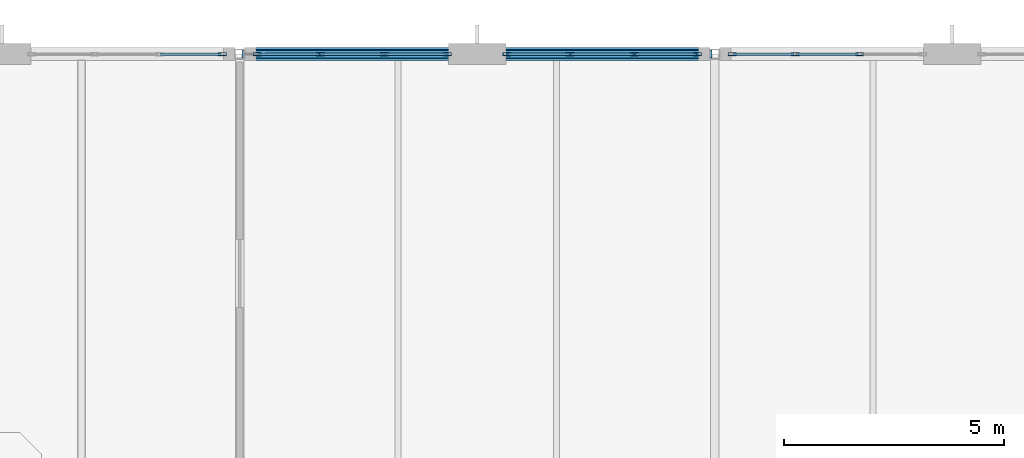
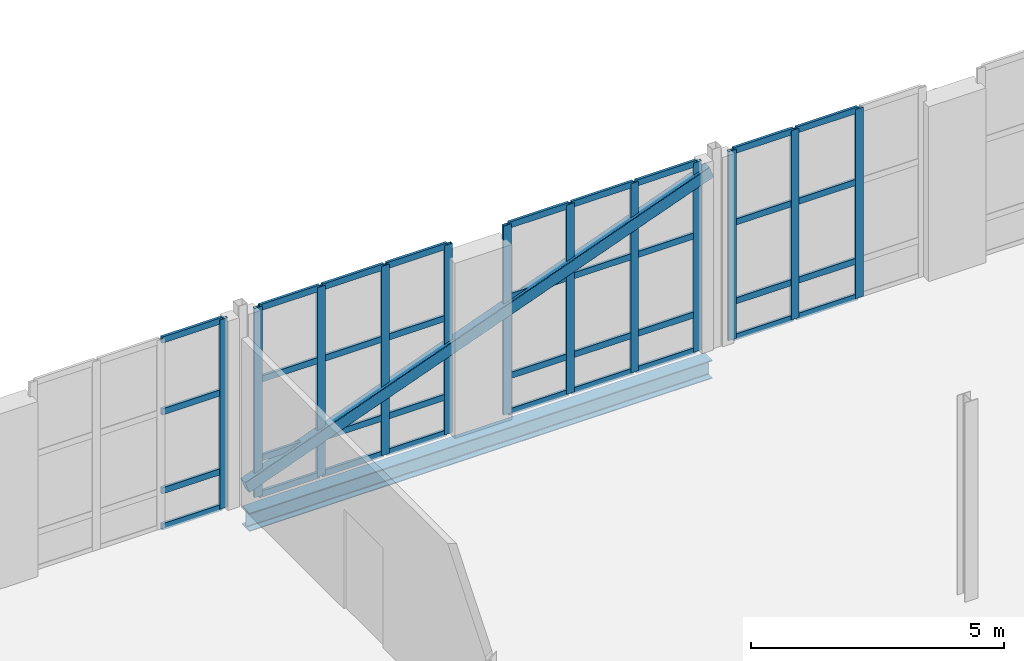
# One storey, part 53 of 86: 49 members, 1 beam, 4 elements without a shape of their own.
"""IFC4 building model written with IfcOpenShell, lengths in metres."""

from ifc_helpers import new_model, si_unit, direction, frame, origin, origin_2d, place, context, subcontext, project, spatial, hollow_rectangle, i_section, extrude, material, layer, layer_set, material_profile, profile_set, type_object, element, aggregate, save


model = new_model("IFC4")

# Units and contexts
model_context = context("Model", 3, precision=1e-05, world=origin(), true_north=direction((0.0, 1.0)))
body_context = subcontext(model_context, "Body", "Model", "MODEL_VIEW")
ifc_project = project(units=[si_unit("LENGTHUNIT", "METRE"), si_unit("AREAUNIT", "SQUARE_METRE"), si_unit("VOLUMEUNIT", "CUBIC_METRE"), si_unit("PLANEANGLEUNIT", "RADIAN"), si_unit("MASSUNIT", "GRAM", prefix="KILO")], contexts=[model_context])

# Site, building, storey
site_placement = place(None, origin())
site = spatial("IfcSite", under=ifc_project, at=site_placement, CompositionType="ELEMENT")
building_placement = place(site_placement, origin())
building = spatial("IfcBuilding", under=site, at=building_placement, Name="Tasgan Crest Museum", CompositionType="ELEMENT")
storey_placement = place(building_placement, frame((0.0, 0.0, 24.0)))
storey = spatial("IfcBuildingStorey", under=building, at=storey_placement, Name="L04", CompositionType="ELEMENT", Elevation=24.0)

# Beam
ifc_material_1 = material(Name="Steel S355J2", Category="steel")
ifc_material_profile_1 = material_profile(ifc_material_1, i_section(OverallWidth=0.300048828125, OverallDepth=0.43994140625, WebThickness=0.011474609375, FlangeThickness=0.02099609375, FilletRadius=0.027099609375, at=origin_2d()), Name="HEA 450")
ifc_profile_set_1 = profile_set([ifc_material_profile_1], Name="Steel S355J2")
beam_type = type_object("IfcBeamType", Name="BM-G-HEA450", PredefinedType="BEAM", material=ifc_profile_set_1)
beam_placement = place(storey_placement, frame((64.926025390625, 112.0, -0.4599609375), z_axis=(1.0, 0.0, 0.0), x_axis=(0.0, 1.0, 0.0)))
element("IfcBeam", 1, at=beam_placement, inside=storey, type_object=beam_type, Name="Girder L04 M 64.8-75.6", PredefinedType="BEAM", context=body_context, shape_type="SweptSolid", body=[
    extrude(i_section(OverallWidth=0.300048828125, OverallDepth=0.43994140625, WebThickness=0.011474609375, FlangeThickness=0.02099609375, FilletRadius=0.027099609375, at=origin_2d()), origin(), (0.0, 0.0, 1.0), 10.548095703125),
])

# Curtain wall, members
ifc_material_2 = material(Name="Triple-Glazed Aluminium Curtain Wall", Category="aluminium")
ifc_layer_1 = layer(ifc_material_2, 0.179931640625, Name="CW-GAL-X-48")
ifc_layer_set_1 = layer_set([ifc_layer_1], Name="Triple-Glazed Aluminium Curtain Wall")
curtain_wall_type_1 = type_object("IfcCurtainWallType", Name="CW-GAL-X-48", PredefinedType="NOTDEFINED", material=ifc_layer_set_1)
curtain_wall_1_placement = place(storey_placement, origin())
curtain_wall_1 = element("IfcCurtainWall", 2, at=curtain_wall_1_placement, inside=storey, type_object=curtain_wall_type_1, Name="Curtain wall L04 160", PredefinedType="NOTDEFINED")
ifc_material_3 = material(Name="Anodised Aluminium", Category="aluminium")
ifc_material_profile_2 = material_profile(ifc_material_3, hollow_rectangle(XDim=0.06494140625, YDim=0.179931640625, WallThickness=0.0048828125, at=origin_2d()), Name="ALU MULLION 180x65x5")
ifc_profile_set_2 = profile_set([ifc_material_profile_2], Name="Anodised Aluminium")
member_type_1 = type_object("IfcMemberType", Name="CW-MULLION-180", PredefinedType="MULLION", material=ifc_profile_set_2)
member_1_placement = place(storey_placement, frame((78.8916015625, 112.0, 0.0), z_axis=(0.0, 0.0, 1.0), x_axis=(0.0, -1.0, 0.0)))
member_1 = element("IfcMember", 3, at=member_1_placement, type_object=member_type_1, Name="CW13 mullion 2", PredefinedType="MULLION", context=body_context, shape_type="SweptSolid", body=[
    extrude(hollow_rectangle(XDim=0.06494140625, YDim=0.179931640625, WallThickness=0.0048828125, at=origin_2d()), origin(), (0.0, 0.0, 1.0), 4.56005859375),
])
member_2_placement = place(storey_placement, frame((77.42822265625, 112.0, 0.0), z_axis=(0.0, 0.0, 1.0), x_axis=(0.0, -1.0, 0.0)))
member_2 = element("IfcMember", 4, at=member_2_placement, type_object=member_type_1, Name="CW13 mullion 3", PredefinedType="MULLION", context=body_context, shape_type="SweptSolid", body=[
    extrude(hollow_rectangle(XDim=0.06494140625, YDim=0.179931640625, WallThickness=0.0048828125, at=origin_2d()), origin(), (0.0, 0.0, 1.0), 4.56005859375),
])
member_3_placement = place(storey_placement, frame((75.9951171875, 112.0, 0.0), z_axis=(0.0, 0.0, 1.0), x_axis=(0.0, -1.0, 0.0)))
member_3 = element("IfcMember", 5, at=member_3_placement, type_object=member_type_1, Name="CW13 mullion 4", PredefinedType="MULLION", context=body_context, shape_type="SweptSolid", body=[
    extrude(hollow_rectangle(XDim=0.06494140625, YDim=0.179931640625, WallThickness=0.0048828125, at=origin_2d()), origin(), (0.0, 0.0, 1.0), 4.56005859375),
])

curtain_wall_2_placement = place(storey_placement, origin())
curtain_wall_2 = element("IfcCurtainWall", 6, at=curtain_wall_2_placement, inside=storey, type_object=curtain_wall_type_1, Name="Curtain wall L04 161", PredefinedType="NOTDEFINED")
member_4_placement = place(storey_placement, frame((75.205078125, 112.0, 0.0), z_axis=(0.0, 0.0, 1.0), x_axis=(0.0, -1.0, 0.0)))
member_4 = element("IfcMember", 7, at=member_4_placement, type_object=member_type_1, Name="CW13 mullion 1", PredefinedType="MULLION", context=body_context, shape_type="SweptSolid", body=[
    extrude(hollow_rectangle(XDim=0.06494140625, YDim=0.179931640625, WallThickness=0.0048828125, at=origin_2d()), origin(), (0.0, 0.0, 1.0), 4.56005859375),
])
member_5_placement = place(storey_placement, frame((73.771728515625, 112.0, 0.0), z_axis=(0.0, 0.0, 1.0), x_axis=(0.0, -1.0, 0.0)))
member_5 = element("IfcMember", 8, at=member_5_placement, type_object=member_type_1, Name="CW13 mullion 2", PredefinedType="MULLION", context=body_context, shape_type="SweptSolid", body=[
    extrude(hollow_rectangle(XDim=0.06494140625, YDim=0.179931640625, WallThickness=0.0048828125, at=origin_2d()), origin(), (0.0, 0.0, 1.0), 4.56005859375),
])
member_6_placement = place(storey_placement, frame((72.308349609375, 112.0, 0.0), z_axis=(0.0, 0.0, 1.0), x_axis=(0.0, -1.0, 0.0)))
member_6 = element("IfcMember", 9, at=member_6_placement, type_object=member_type_1, Name="CW13 mullion 3", PredefinedType="MULLION", context=body_context, shape_type="SweptSolid", body=[
    extrude(hollow_rectangle(XDim=0.06494140625, YDim=0.179931640625, WallThickness=0.0048828125, at=origin_2d()), origin(), (0.0, 0.0, 1.0), 4.56005859375),
])
member_7_placement = place(storey_placement, frame((70.875, 112.0, 0.0), z_axis=(0.0, 0.0, 1.0), x_axis=(0.0, -1.0, 0.0)))
member_7 = element("IfcMember", 10, at=member_7_placement, type_object=member_type_1, Name="CW13 mullion 4", PredefinedType="MULLION", context=body_context, shape_type="SweptSolid", body=[
    extrude(hollow_rectangle(XDim=0.06494140625, YDim=0.179931640625, WallThickness=0.0048828125, at=origin_2d()), origin(), (0.0, 0.0, 1.0), 4.56005859375),
])

curtain_wall_3_placement = place(storey_placement, origin())
curtain_wall_3 = element("IfcCurtainWall", 11, at=curtain_wall_3_placement, inside=storey, type_object=curtain_wall_type_1, Name="Curtain wall L04 162", PredefinedType="NOTDEFINED")
member_8_placement = place(storey_placement, frame((69.52490234375, 112.0, 0.0), z_axis=(0.0, 0.0, 1.0), x_axis=(0.0, -1.0, 0.0)))
member_8 = element("IfcMember", 12, at=member_8_placement, type_object=member_type_1, Name="CW13 mullion 1", PredefinedType="MULLION", context=body_context, shape_type="SweptSolid", body=[
    extrude(hollow_rectangle(XDim=0.06494140625, YDim=0.179931640625, WallThickness=0.0048828125, at=origin_2d()), origin(), (0.0, 0.0, 1.0), 4.56005859375),
])
member_9_placement = place(storey_placement, frame((68.091552734375, 112.0, 0.0), z_axis=(0.0, 0.0, 1.0), x_axis=(0.0, -1.0, 0.0)))
member_9 = element("IfcMember", 13, at=member_9_placement, type_object=member_type_1, Name="CW13 mullion 2", PredefinedType="MULLION", context=body_context, shape_type="SweptSolid", body=[
    extrude(hollow_rectangle(XDim=0.06494140625, YDim=0.179931640625, WallThickness=0.0048828125, at=origin_2d()), origin(), (0.0, 0.0, 1.0), 4.56005859375),
])
member_10_placement = place(storey_placement, frame((66.62841796875, 112.0, 0.0), z_axis=(0.0, 0.0, 1.0), x_axis=(0.0, -1.0, 0.0)))
member_10 = element("IfcMember", 14, at=member_10_placement, type_object=member_type_1, Name="CW13 mullion 3", PredefinedType="MULLION", context=body_context, shape_type="SweptSolid", body=[
    extrude(hollow_rectangle(XDim=0.06494140625, YDim=0.179931640625, WallThickness=0.0048828125, at=origin_2d()), origin(), (0.0, 0.0, 1.0), 4.56005859375),
])
member_11_placement = place(storey_placement, frame((65.195068359375, 112.0, 0.0), z_axis=(0.0, 0.0, 1.0), x_axis=(0.0, -1.0, 0.0)))
member_11 = element("IfcMember", 15, at=member_11_placement, type_object=member_type_1, Name="CW13 mullion 4", PredefinedType="MULLION", context=body_context, shape_type="SweptSolid", body=[
    extrude(hollow_rectangle(XDim=0.06494140625, YDim=0.179931640625, WallThickness=0.0048828125, at=origin_2d()), origin(), (0.0, 0.0, 1.0), 4.56005859375),
])

# Curtain wall, member
ifc_material_4 = material(Name="Triple-Glazed Aluminium Curtain Wall", Category="aluminium")
ifc_layer_2 = layer(ifc_material_4, 0.179931640625, Name="CW-CORE-STRIP-48")
ifc_layer_set_2 = layer_set([ifc_layer_2], Name="Triple-Glazed Aluminium Curtain Wall")
curtain_wall_type_2 = type_object("IfcCurtainWallType", Name="CW-CORE-STRIP-48", PredefinedType="NOTDEFINED", material=ifc_layer_set_2)
curtain_wall_4_placement = place(storey_placement, origin())
curtain_wall_4 = element("IfcCurtainWall", 16, at=curtain_wall_4_placement, inside=storey, type_object=curtain_wall_type_2, Name="Curtain wall L04 163", PredefinedType="NOTDEFINED")
member_12_placement = place(storey_placement, frame((64.405029296875, 112.0, 0.0), z_axis=(0.0, 0.0, 1.0), x_axis=(0.0, -1.0, 0.0)))
member_12 = element("IfcMember", 17, at=member_12_placement, type_object=member_type_1, Name="CW19 mullion 1", PredefinedType="MULLION", context=body_context, shape_type="SweptSolid", body=[
    extrude(hollow_rectangle(XDim=0.06494140625, YDim=0.179931640625, WallThickness=0.0048828125, at=origin_2d()), origin(), (0.0, 0.0, 1.0), 4.56005859375),
])

# Member
ifc_material_5 = material(Name="Anodised Aluminium", Category="aluminium")
ifc_material_profile_3 = material_profile(ifc_material_5, hollow_rectangle(XDim=0.06005859375, YDim=0.14990234375, WallThickness=0.0048828125, at=origin_2d()), Name="ALU TRANSOM 150x60x5")
ifc_profile_set_3 = profile_set([ifc_material_profile_3], Name="Anodised Aluminium")
member_type_2 = type_object("IfcMemberType", Name="CW-TRANSOM-150", PredefinedType="USERDEFINED", material=ifc_profile_set_3)
member_13_placement = place(storey_placement, frame((78.861572265625, 112.0, 0.030029296875), z_axis=(-1.0, 0.0, 0.0), x_axis=(0.0, -1.0, 0.0)))
member_13 = element("IfcMember", 18, at=member_13_placement, type_object=member_type_2, Name="CW13 transom 2.1", ObjectType="TRANSOM", PredefinedType="USERDEFINED", context=body_context, shape_type="SweptSolid", body=[
    extrude(hollow_rectangle(XDim=0.06005859375, YDim=0.14990234375, WallThickness=0.0048828125, at=origin_2d()), origin(), (0.0, 0.0, 1.0), 1.4033203125),
])

member_14_placement = place(storey_placement, frame((78.861572265625, 112.0, 0.89990234375), z_axis=(-1.0, 0.0, 0.0), x_axis=(0.0, -1.0, 0.0)))
member_14 = element("IfcMember", 19, at=member_14_placement, type_object=member_type_2, Name="CW13 transom 2.2", ObjectType="TRANSOM", PredefinedType="USERDEFINED", context=body_context, shape_type="SweptSolid", body=[
    extrude(hollow_rectangle(XDim=0.06005859375, YDim=0.14990234375, WallThickness=0.0048828125, at=origin_2d()), origin(), (0.0, 0.0, 1.0), 1.4033203125),
])

member_15_placement = place(storey_placement, frame((78.861572265625, 112.0, 2.800048828125), z_axis=(-1.0, 0.0, 0.0), x_axis=(0.0, -1.0, 0.0)))
member_15 = element("IfcMember", 20, at=member_15_placement, type_object=member_type_2, Name="CW13 transom 2.3", ObjectType="TRANSOM", PredefinedType="USERDEFINED", context=body_context, shape_type="SweptSolid", body=[
    extrude(hollow_rectangle(XDim=0.06005859375, YDim=0.14990234375, WallThickness=0.0048828125, at=origin_2d()), origin(), (0.0, 0.0, 1.0), 1.4033203125),
])

member_16_placement = place(storey_placement, frame((78.861572265625, 112.0, 4.530029296875), z_axis=(-1.0, 0.0, 0.0), x_axis=(0.0, -1.0, 0.0)))
member_16 = element("IfcMember", 21, at=member_16_placement, type_object=member_type_2, Name="CW13 transom 2.4", ObjectType="TRANSOM", PredefinedType="USERDEFINED", context=body_context, shape_type="SweptSolid", body=[
    extrude(hollow_rectangle(XDim=0.06005859375, YDim=0.14990234375, WallThickness=0.0048828125, at=origin_2d()), origin(), (0.0, 0.0, 1.0), 1.4033203125),
])

member_17_placement = place(storey_placement, frame((77.3984375, 112.0, 0.030029296875), z_axis=(-1.0, 0.0, 0.0), x_axis=(0.0, -1.0, 0.0)))
member_17 = element("IfcMember", 22, at=member_17_placement, type_object=member_type_2, Name="CW13 transom 3.1", ObjectType="TRANSOM", PredefinedType="USERDEFINED", context=body_context, shape_type="SweptSolid", body=[
    extrude(hollow_rectangle(XDim=0.06005859375, YDim=0.14990234375, WallThickness=0.0048828125, at=origin_2d()), origin(), (0.0, 0.0, 1.0), 1.37353515625),
])

member_18_placement = place(storey_placement, frame((77.3984375, 112.0, 0.89990234375), z_axis=(-1.0, 0.0, 0.0), x_axis=(0.0, -1.0, 0.0)))
member_18 = element("IfcMember", 23, at=member_18_placement, type_object=member_type_2, Name="CW13 transom 3.2", ObjectType="TRANSOM", PredefinedType="USERDEFINED", context=body_context, shape_type="SweptSolid", body=[
    extrude(hollow_rectangle(XDim=0.06005859375, YDim=0.14990234375, WallThickness=0.0048828125, at=origin_2d()), origin(), (0.0, 0.0, 1.0), 1.37353515625),
])

member_19_placement = place(storey_placement, frame((77.3984375, 112.0, 2.800048828125), z_axis=(-1.0, 0.0, 0.0), x_axis=(0.0, -1.0, 0.0)))
member_19 = element("IfcMember", 24, at=member_19_placement, type_object=member_type_2, Name="CW13 transom 3.3", ObjectType="TRANSOM", PredefinedType="USERDEFINED", context=body_context, shape_type="SweptSolid", body=[
    extrude(hollow_rectangle(XDim=0.06005859375, YDim=0.14990234375, WallThickness=0.0048828125, at=origin_2d()), origin(), (0.0, 0.0, 1.0), 1.37353515625),
])

member_20_placement = place(storey_placement, frame((77.3984375, 112.0, 4.530029296875), z_axis=(-1.0, 0.0, 0.0), x_axis=(0.0, -1.0, 0.0)))
member_20 = element("IfcMember", 25, at=member_20_placement, type_object=member_type_2, Name="CW13 transom 3.4", ObjectType="TRANSOM", PredefinedType="USERDEFINED", context=body_context, shape_type="SweptSolid", body=[
    extrude(hollow_rectangle(XDim=0.06005859375, YDim=0.14990234375, WallThickness=0.0048828125, at=origin_2d()), origin(), (0.0, 0.0, 1.0), 1.37353515625),
])

aggregate(curtain_wall_1, [member_1, member_2, member_3, member_13, member_14, member_15, member_16, member_17, member_18, member_19, member_20])

member_21_placement = place(storey_placement, frame((75.175048828125, 112.0, 0.030029296875), z_axis=(-1.0, 0.0, 0.0), x_axis=(0.0, -1.0, 0.0)))
member_21 = element("IfcMember", 26, at=member_21_placement, type_object=member_type_2, Name="CW13 transom 1.1", ObjectType="TRANSOM", PredefinedType="USERDEFINED", context=body_context, shape_type="SweptSolid", body=[
    extrude(hollow_rectangle(XDim=0.06005859375, YDim=0.14990234375, WallThickness=0.0048828125, at=origin_2d()), origin(), (0.0, 0.0, 1.0), 1.373291015625),
])

member_22_placement = place(storey_placement, frame((75.175048828125, 112.0, 0.89990234375), z_axis=(-1.0, 0.0, 0.0), x_axis=(0.0, -1.0, 0.0)))
member_22 = element("IfcMember", 27, at=member_22_placement, type_object=member_type_2, Name="CW13 transom 1.2", ObjectType="TRANSOM", PredefinedType="USERDEFINED", context=body_context, shape_type="SweptSolid", body=[
    extrude(hollow_rectangle(XDim=0.06005859375, YDim=0.14990234375, WallThickness=0.0048828125, at=origin_2d()), origin(), (0.0, 0.0, 1.0), 1.373291015625),
])

member_23_placement = place(storey_placement, frame((75.175048828125, 112.0, 2.800048828125), z_axis=(-1.0, 0.0, 0.0), x_axis=(0.0, -1.0, 0.0)))
member_23 = element("IfcMember", 28, at=member_23_placement, type_object=member_type_2, Name="CW13 transom 1.3", ObjectType="TRANSOM", PredefinedType="USERDEFINED", context=body_context, shape_type="SweptSolid", body=[
    extrude(hollow_rectangle(XDim=0.06005859375, YDim=0.14990234375, WallThickness=0.0048828125, at=origin_2d()), origin(), (0.0, 0.0, 1.0), 1.373291015625),
])

member_24_placement = place(storey_placement, frame((75.175048828125, 112.0, 4.530029296875), z_axis=(-1.0, 0.0, 0.0), x_axis=(0.0, -1.0, 0.0)))
member_24 = element("IfcMember", 29, at=member_24_placement, type_object=member_type_2, Name="CW13 transom 1.4", ObjectType="TRANSOM", PredefinedType="USERDEFINED", context=body_context, shape_type="SweptSolid", body=[
    extrude(hollow_rectangle(XDim=0.06005859375, YDim=0.14990234375, WallThickness=0.0048828125, at=origin_2d()), origin(), (0.0, 0.0, 1.0), 1.373291015625),
])

member_25_placement = place(storey_placement, frame((73.74169921875, 112.0, 0.030029296875), z_axis=(-1.0, 0.0, 0.0), x_axis=(0.0, -1.0, 0.0)))
member_25 = element("IfcMember", 30, at=member_25_placement, type_object=member_type_2, Name="CW13 transom 2.1", ObjectType="TRANSOM", PredefinedType="USERDEFINED", context=body_context, shape_type="SweptSolid", body=[
    extrude(hollow_rectangle(XDim=0.06005859375, YDim=0.14990234375, WallThickness=0.0048828125, at=origin_2d()), origin(), (0.0, 0.0, 1.0), 1.4033203125),
])

member_26_placement = place(storey_placement, frame((73.74169921875, 112.0, 0.89990234375), z_axis=(-1.0, 0.0, 0.0), x_axis=(0.0, -1.0, 0.0)))
member_26 = element("IfcMember", 31, at=member_26_placement, type_object=member_type_2, Name="CW13 transom 2.2", ObjectType="TRANSOM", PredefinedType="USERDEFINED", context=body_context, shape_type="SweptSolid", body=[
    extrude(hollow_rectangle(XDim=0.06005859375, YDim=0.14990234375, WallThickness=0.0048828125, at=origin_2d()), origin(), (0.0, 0.0, 1.0), 1.4033203125),
])

member_27_placement = place(storey_placement, frame((73.74169921875, 112.0, 2.800048828125), z_axis=(-1.0, 0.0, 0.0), x_axis=(0.0, -1.0, 0.0)))
member_27 = element("IfcMember", 32, at=member_27_placement, type_object=member_type_2, Name="CW13 transom 2.3", ObjectType="TRANSOM", PredefinedType="USERDEFINED", context=body_context, shape_type="SweptSolid", body=[
    extrude(hollow_rectangle(XDim=0.06005859375, YDim=0.14990234375, WallThickness=0.0048828125, at=origin_2d()), origin(), (0.0, 0.0, 1.0), 1.4033203125),
])

member_28_placement = place(storey_placement, frame((73.74169921875, 112.0, 4.530029296875), z_axis=(-1.0, 0.0, 0.0), x_axis=(0.0, -1.0, 0.0)))
member_28 = element("IfcMember", 33, at=member_28_placement, type_object=member_type_2, Name="CW13 transom 2.4", ObjectType="TRANSOM", PredefinedType="USERDEFINED", context=body_context, shape_type="SweptSolid", body=[
    extrude(hollow_rectangle(XDim=0.06005859375, YDim=0.14990234375, WallThickness=0.0048828125, at=origin_2d()), origin(), (0.0, 0.0, 1.0), 1.4033203125),
])

member_29_placement = place(storey_placement, frame((72.2783203125, 112.0, 0.030029296875), z_axis=(-1.0, 0.0, 0.0), x_axis=(0.0, -1.0, 0.0)))
member_29 = element("IfcMember", 34, at=member_29_placement, type_object=member_type_2, Name="CW13 transom 3.1", ObjectType="TRANSOM", PredefinedType="USERDEFINED", context=body_context, shape_type="SweptSolid", body=[
    extrude(hollow_rectangle(XDim=0.06005859375, YDim=0.14990234375, WallThickness=0.0048828125, at=origin_2d()), origin(), (0.0, 0.0, 1.0), 1.373291015625),
])

member_30_placement = place(storey_placement, frame((72.2783203125, 112.0, 0.89990234375), z_axis=(-1.0, 0.0, 0.0), x_axis=(0.0, -1.0, 0.0)))
member_30 = element("IfcMember", 35, at=member_30_placement, type_object=member_type_2, Name="CW13 transom 3.2", ObjectType="TRANSOM", PredefinedType="USERDEFINED", context=body_context, shape_type="SweptSolid", body=[
    extrude(hollow_rectangle(XDim=0.06005859375, YDim=0.14990234375, WallThickness=0.0048828125, at=origin_2d()), origin(), (0.0, 0.0, 1.0), 1.373291015625),
])

member_31_placement = place(storey_placement, frame((72.2783203125, 112.0, 2.800048828125), z_axis=(-1.0, 0.0, 0.0), x_axis=(0.0, -1.0, 0.0)))
member_31 = element("IfcMember", 36, at=member_31_placement, type_object=member_type_2, Name="CW13 transom 3.3", ObjectType="TRANSOM", PredefinedType="USERDEFINED", context=body_context, shape_type="SweptSolid", body=[
    extrude(hollow_rectangle(XDim=0.06005859375, YDim=0.14990234375, WallThickness=0.0048828125, at=origin_2d()), origin(), (0.0, 0.0, 1.0), 1.373291015625),
])

member_32_placement = place(storey_placement, frame((72.2783203125, 112.0, 4.530029296875), z_axis=(-1.0, 0.0, 0.0), x_axis=(0.0, -1.0, 0.0)))
member_32 = element("IfcMember", 37, at=member_32_placement, type_object=member_type_2, Name="CW13 transom 3.4", ObjectType="TRANSOM", PredefinedType="USERDEFINED", context=body_context, shape_type="SweptSolid", body=[
    extrude(hollow_rectangle(XDim=0.06005859375, YDim=0.14990234375, WallThickness=0.0048828125, at=origin_2d()), origin(), (0.0, 0.0, 1.0), 1.373291015625),
])

aggregate(curtain_wall_2, [member_4, member_5, member_6, member_7, member_21, member_22, member_23, member_24, member_25, member_26, member_27, member_28, member_29, member_30, member_31, member_32])

member_33_placement = place(storey_placement, frame((69.4951171875, 112.0, 0.030029296875), z_axis=(-1.0, 0.0, 0.0), x_axis=(0.0, -1.0, 0.0)))
member_33 = element("IfcMember", 38, at=member_33_placement, type_object=member_type_2, Name="CW13 transom 1.1", ObjectType="TRANSOM", PredefinedType="USERDEFINED", context=body_context, shape_type="SweptSolid", body=[
    extrude(hollow_rectangle(XDim=0.06005859375, YDim=0.14990234375, WallThickness=0.0048828125, at=origin_2d()), origin(), (0.0, 0.0, 1.0), 1.37353515625),
])

member_34_placement = place(storey_placement, frame((69.4951171875, 112.0, 0.89990234375), z_axis=(-1.0, 0.0, 0.0), x_axis=(0.0, -1.0, 0.0)))
member_34 = element("IfcMember", 39, at=member_34_placement, type_object=member_type_2, Name="CW13 transom 1.2", ObjectType="TRANSOM", PredefinedType="USERDEFINED", context=body_context, shape_type="SweptSolid", body=[
    extrude(hollow_rectangle(XDim=0.06005859375, YDim=0.14990234375, WallThickness=0.0048828125, at=origin_2d()), origin(), (0.0, 0.0, 1.0), 1.37353515625),
])

member_35_placement = place(storey_placement, frame((69.4951171875, 112.0, 2.800048828125), z_axis=(-1.0, 0.0, 0.0), x_axis=(0.0, -1.0, 0.0)))
member_35 = element("IfcMember", 40, at=member_35_placement, type_object=member_type_2, Name="CW13 transom 1.3", ObjectType="TRANSOM", PredefinedType="USERDEFINED", context=body_context, shape_type="SweptSolid", body=[
    extrude(hollow_rectangle(XDim=0.06005859375, YDim=0.14990234375, WallThickness=0.0048828125, at=origin_2d()), origin(), (0.0, 0.0, 1.0), 1.37353515625),
])

member_36_placement = place(storey_placement, frame((69.4951171875, 112.0, 4.530029296875), z_axis=(-1.0, 0.0, 0.0), x_axis=(0.0, -1.0, 0.0)))
member_36 = element("IfcMember", 41, at=member_36_placement, type_object=member_type_2, Name="CW13 transom 1.4", ObjectType="TRANSOM", PredefinedType="USERDEFINED", context=body_context, shape_type="SweptSolid", body=[
    extrude(hollow_rectangle(XDim=0.06005859375, YDim=0.14990234375, WallThickness=0.0048828125, at=origin_2d()), origin(), (0.0, 0.0, 1.0), 1.37353515625),
])

member_37_placement = place(storey_placement, frame((68.061767578125, 112.0, 0.030029296875), z_axis=(-1.0, 0.0, 0.0), x_axis=(0.0, -1.0, 0.0)))
member_37 = element("IfcMember", 42, at=member_37_placement, type_object=member_type_2, Name="CW13 transom 2.1", ObjectType="TRANSOM", PredefinedType="USERDEFINED", context=body_context, shape_type="SweptSolid", body=[
    extrude(hollow_rectangle(XDim=0.06005859375, YDim=0.14990234375, WallThickness=0.0048828125, at=origin_2d()), origin(), (0.0, 0.0, 1.0), 1.4033203125),
])

member_38_placement = place(storey_placement, frame((68.061767578125, 112.0, 0.89990234375), z_axis=(-1.0, 0.0, 0.0), x_axis=(0.0, -1.0, 0.0)))
member_38 = element("IfcMember", 43, at=member_38_placement, type_object=member_type_2, Name="CW13 transom 2.2", ObjectType="TRANSOM", PredefinedType="USERDEFINED", context=body_context, shape_type="SweptSolid", body=[
    extrude(hollow_rectangle(XDim=0.06005859375, YDim=0.14990234375, WallThickness=0.0048828125, at=origin_2d()), origin(), (0.0, 0.0, 1.0), 1.4033203125),
])

member_39_placement = place(storey_placement, frame((68.061767578125, 112.0, 2.800048828125), z_axis=(-1.0, 0.0, 0.0), x_axis=(0.0, -1.0, 0.0)))
member_39 = element("IfcMember", 44, at=member_39_placement, type_object=member_type_2, Name="CW13 transom 2.3", ObjectType="TRANSOM", PredefinedType="USERDEFINED", context=body_context, shape_type="SweptSolid", body=[
    extrude(hollow_rectangle(XDim=0.06005859375, YDim=0.14990234375, WallThickness=0.0048828125, at=origin_2d()), origin(), (0.0, 0.0, 1.0), 1.4033203125),
])

member_40_placement = place(storey_placement, frame((68.061767578125, 112.0, 4.530029296875), z_axis=(-1.0, 0.0, 0.0), x_axis=(0.0, -1.0, 0.0)))
member_40 = element("IfcMember", 45, at=member_40_placement, type_object=member_type_2, Name="CW13 transom 2.4", ObjectType="TRANSOM", PredefinedType="USERDEFINED", context=body_context, shape_type="SweptSolid", body=[
    extrude(hollow_rectangle(XDim=0.06005859375, YDim=0.14990234375, WallThickness=0.0048828125, at=origin_2d()), origin(), (0.0, 0.0, 1.0), 1.4033203125),
])

member_41_placement = place(storey_placement, frame((66.598388671875, 112.0, 0.030029296875), z_axis=(-1.0, 0.0, 0.0), x_axis=(0.0, -1.0, 0.0)))
member_41 = element("IfcMember", 46, at=member_41_placement, type_object=member_type_2, Name="CW13 transom 3.1", ObjectType="TRANSOM", PredefinedType="USERDEFINED", context=body_context, shape_type="SweptSolid", body=[
    extrude(hollow_rectangle(XDim=0.06005859375, YDim=0.14990234375, WallThickness=0.0048828125, at=origin_2d()), origin(), (0.0, 0.0, 1.0), 1.373291015625),
])

member_42_placement = place(storey_placement, frame((66.598388671875, 112.0, 0.89990234375), z_axis=(-1.0, 0.0, 0.0), x_axis=(0.0, -1.0, 0.0)))
member_42 = element("IfcMember", 47, at=member_42_placement, type_object=member_type_2, Name="CW13 transom 3.2", ObjectType="TRANSOM", PredefinedType="USERDEFINED", context=body_context, shape_type="SweptSolid", body=[
    extrude(hollow_rectangle(XDim=0.06005859375, YDim=0.14990234375, WallThickness=0.0048828125, at=origin_2d()), origin(), (0.0, 0.0, 1.0), 1.373291015625),
])

member_43_placement = place(storey_placement, frame((66.598388671875, 112.0, 2.800048828125), z_axis=(-1.0, 0.0, 0.0), x_axis=(0.0, -1.0, 0.0)))
member_43 = element("IfcMember", 48, at=member_43_placement, type_object=member_type_2, Name="CW13 transom 3.3", ObjectType="TRANSOM", PredefinedType="USERDEFINED", context=body_context, shape_type="SweptSolid", body=[
    extrude(hollow_rectangle(XDim=0.06005859375, YDim=0.14990234375, WallThickness=0.0048828125, at=origin_2d()), origin(), (0.0, 0.0, 1.0), 1.373291015625),
])

member_44_placement = place(storey_placement, frame((66.598388671875, 112.0, 4.530029296875), z_axis=(-1.0, 0.0, 0.0), x_axis=(0.0, -1.0, 0.0)))
member_44 = element("IfcMember", 49, at=member_44_placement, type_object=member_type_2, Name="CW13 transom 3.4", ObjectType="TRANSOM", PredefinedType="USERDEFINED", context=body_context, shape_type="SweptSolid", body=[
    extrude(hollow_rectangle(XDim=0.06005859375, YDim=0.14990234375, WallThickness=0.0048828125, at=origin_2d()), origin(), (0.0, 0.0, 1.0), 1.373291015625),
])

aggregate(curtain_wall_3, [member_8, member_9, member_10, member_11, member_33, member_34, member_35, member_36, member_37, member_38, member_39, member_40, member_41, member_42, member_43, member_44])

member_45_placement = place(storey_placement, frame((64.375, 112.0, 0.030029296875), z_axis=(-1.0, 0.0, 0.0), x_axis=(0.0, -1.0, 0.0)))
member_45 = element("IfcMember", 50, at=member_45_placement, type_object=member_type_2, Name="CW19 transom 1.1", ObjectType="TRANSOM", PredefinedType="USERDEFINED", context=body_context, shape_type="SweptSolid", body=[
    extrude(hollow_rectangle(XDim=0.06005859375, YDim=0.14990234375, WallThickness=0.0048828125, at=origin_2d()), origin(), (0.0, 0.0, 1.0), 1.373291015625),
])

member_46_placement = place(storey_placement, frame((64.375, 112.0, 0.89990234375), z_axis=(-1.0, 0.0, 0.0), x_axis=(0.0, -1.0, 0.0)))
member_46 = element("IfcMember", 51, at=member_46_placement, type_object=member_type_2, Name="CW19 transom 1.2", ObjectType="TRANSOM", PredefinedType="USERDEFINED", context=body_context, shape_type="SweptSolid", body=[
    extrude(hollow_rectangle(XDim=0.06005859375, YDim=0.14990234375, WallThickness=0.0048828125, at=origin_2d()), origin(), (0.0, 0.0, 1.0), 1.373291015625),
])

member_47_placement = place(storey_placement, frame((64.375, 112.0, 2.800048828125), z_axis=(-1.0, 0.0, 0.0), x_axis=(0.0, -1.0, 0.0)))
member_47 = element("IfcMember", 52, at=member_47_placement, type_object=member_type_2, Name="CW19 transom 1.3", ObjectType="TRANSOM", PredefinedType="USERDEFINED", context=body_context, shape_type="SweptSolid", body=[
    extrude(hollow_rectangle(XDim=0.06005859375, YDim=0.14990234375, WallThickness=0.0048828125, at=origin_2d()), origin(), (0.0, 0.0, 1.0), 1.373291015625),
])

member_48_placement = place(storey_placement, frame((64.375, 112.0, 4.530029296875), z_axis=(-1.0, 0.0, 0.0), x_axis=(0.0, -1.0, 0.0)))
member_48 = element("IfcMember", 53, at=member_48_placement, type_object=member_type_2, Name="CW19 transom 1.4", ObjectType="TRANSOM", PredefinedType="USERDEFINED", context=body_context, shape_type="SweptSolid", body=[
    extrude(hollow_rectangle(XDim=0.06005859375, YDim=0.14990234375, WallThickness=0.0048828125, at=origin_2d()), origin(), (0.0, 0.0, 1.0), 1.373291015625),
])

aggregate(curtain_wall_4, [member_12, member_45, member_46, member_47, member_48])

ifc_material_6 = material(Name="Steel S355K2", Category="steel")
ifc_material_profile_4 = material_profile(ifc_material_6, hollow_rectangle(XDim=0.199951171875, YDim=0.300048828125, WallThickness=0.012451171875, InnerFilletRadius=0.012451171875, OuterFilletRadius=0.02490234375, at=origin_2d()), Name="RHS 300x200x12.5")
ifc_profile_set_4 = profile_set([ifc_material_profile_4], Name="Steel S355K2")
member_type_3 = type_object("IfcMemberType", Name="MEM-BR-RHS300", PredefinedType="BRACE", material=ifc_profile_set_4)
member_49_placement = place(storey_placement, frame((64.909912109375, 112.0, 0.35009765625), z_axis=(0.938286176688, 0.0, 0.345859871387), x_axis=(0.0, 1.0, 0.0)))
element("IfcMember", 54, at=member_49_placement, inside=storey, type_object=member_type_3, Name="Diagonal brace L04 M 64.8-75.6", PredefinedType="BRACE", context=body_context, shape_type="SweptSolid", body=[
    extrude(hollow_rectangle(XDim=0.199951171875, YDim=0.300048828125, WallThickness=0.012451171875, InnerFilletRadius=0.012451171875, OuterFilletRadius=0.02490234375, at=origin_2d()), origin(), (0.0, 0.0, 1.0), 11.27587890625),
])

save(model, "model.ifc")
